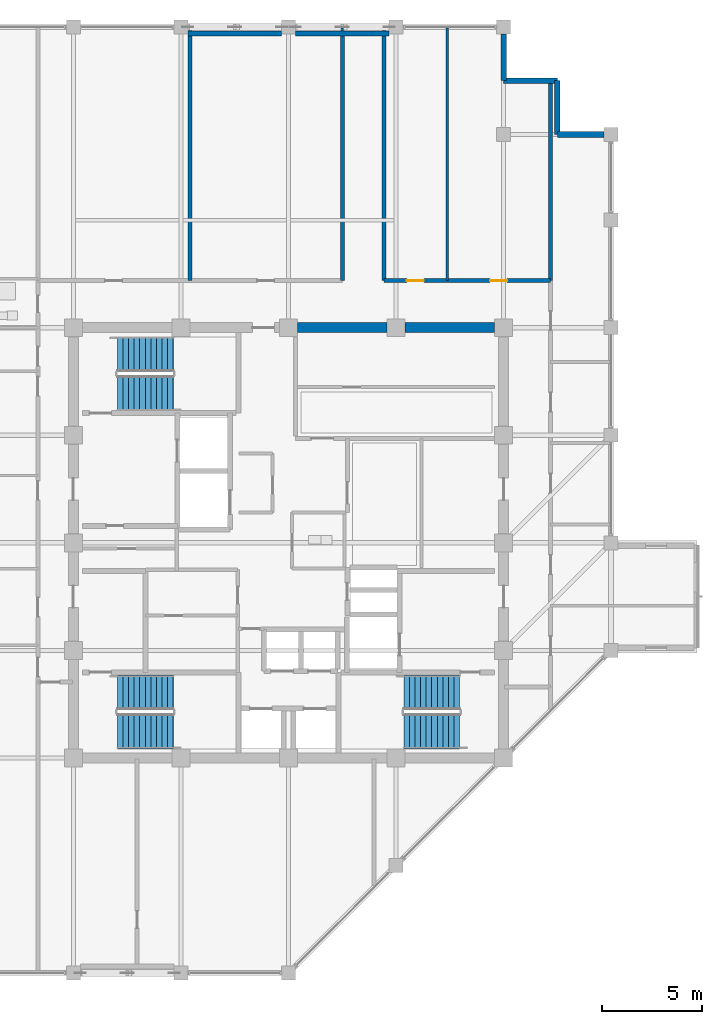
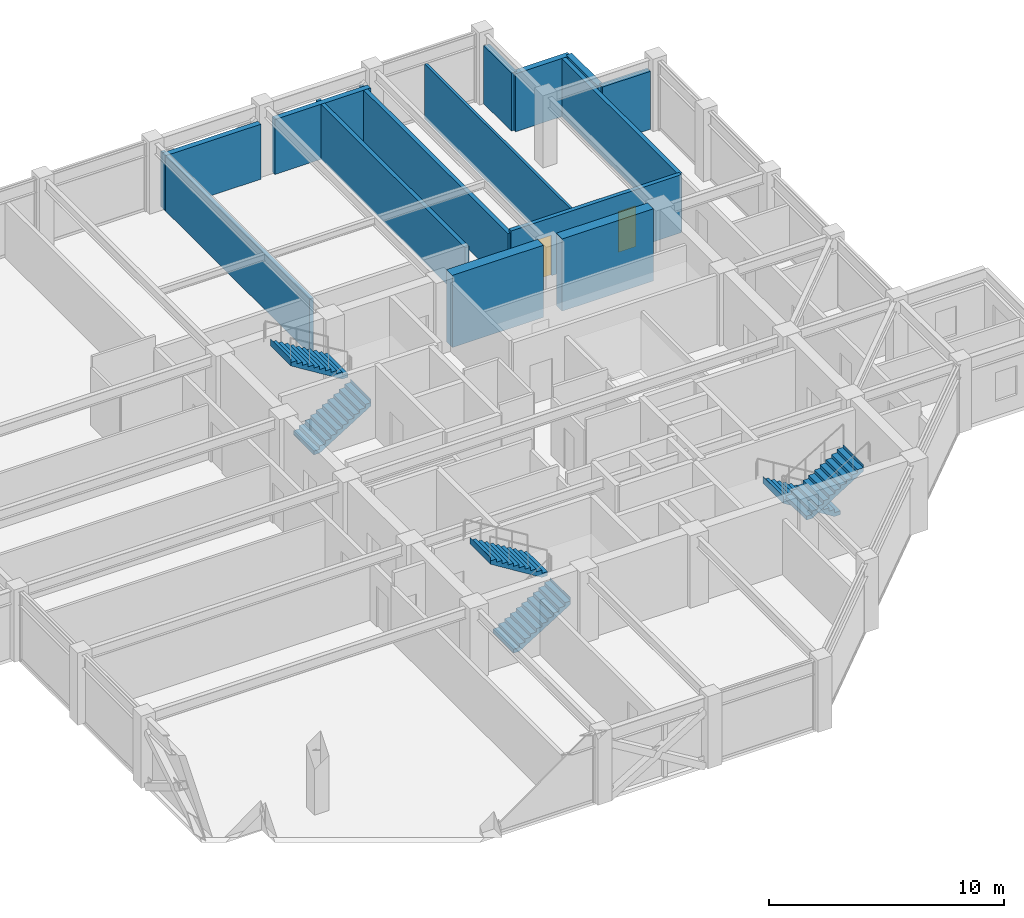
# One storey, part 28 of 31: 14 walls, 6 stair flights, 2 doors, 2 openings, 3 elements without a shape of their own.
"""IFC4 building model written with IfcOpenShell, lengths in metres."""

from ifc_helpers import new_model, si_unit, direction, frame, frame_2d, origin, place, context, subcontext, project, spatial, polyline, rectangle, outline, extrude, material, layer, layer_set, type_object, element, fill, aggregate, save


model = new_model("IFC4")

# Units and contexts
model_context = context("Model", 3, precision=1e-05, world=origin(), true_north=direction((0.0, 1.0)))
body_context = subcontext(model_context, "Body", "Model", "MODEL_VIEW")
ifc_project = project(units=[si_unit("LENGTHUNIT", "METRE"), si_unit("AREAUNIT", "SQUARE_METRE"), si_unit("VOLUMEUNIT", "CUBIC_METRE"), si_unit("PLANEANGLEUNIT", "RADIAN"), si_unit("MASSUNIT", "GRAM", prefix="KILO")], contexts=[model_context])

# Site, building, storey
site_placement = place(None, origin())
site = spatial("IfcSite", under=ifc_project, at=site_placement, CompositionType="ELEMENT")
building_placement = place(site_placement, origin())
building = spatial("IfcBuilding", under=site, at=building_placement, Name="Surkhivell Harbour Commons", CompositionType="ELEMENT")
storey_placement = place(building_placement, frame((0.0, 0.0, 322.5)))
storey = spatial("IfcBuildingStorey", under=building, at=storey_placement, Name="L84", CompositionType="ELEMENT", Elevation=322.5)

# Walls
ifc_material_1 = material(Name="Concrete C50/60", Category="concrete")
ifc_layer_1 = layer(ifc_material_1, 0.5)
ifc_layer_set_1 = layer_set([ifc_layer_1], Name="Concrete C50/60")
wall_type_1 = type_object("IfcWallType", Name="WAL-CORE-500", PredefinedType="SHEAR", material=ifc_layer_set_1)
for number, where, z_axis, x_axis, name in (
    (1, (0.4599609375, 10.800048828125, 0.0), (0.0, 0.0, 1.0), (1.0, 0.0, 0.0), "L84 Core Shear Wall North 3"),
    (2, (5.860107421875, 10.800048828125, 0.0), (0.0, 0.0, 1.0), (1.0, 0.0, 0.0), "L84 Core Shear Wall North 4"),
):
    element("IfcWall", number, at=place(storey_placement, frame(where, z_axis=z_axis, x_axis=x_axis)), inside=storey, type_object=wall_type_1, Name=name, PredefinedType="SHEAR", context=body_context, shape_type="SweptSolid", body=[
        extrude(rectangle(XDim=4.47998046875, YDim=0.5, at=frame_2d((2.239990234375, 0.0))), origin(), (0.0, 0.0, 1.0), 3.75),
    ])
ifc_material_2 = material(Name="Pale-metal insulated precast concrete C45/55", Category="concrete")
ifc_layer_2 = layer(ifc_material_2, 0.260009765625)
ifc_layer_set_2 = layer_set([ifc_layer_2], Name="Pale-metal insulated precast concrete C45/55")
wall_type_2 = type_object("IfcWallType", Name="WAL-EXT-MTL260", PredefinedType="STANDARD", material=ifc_layer_set_2)
for number, where, z_axis, x_axis, name in (
    (3, (-0.347900390625, 25.56494140625, 0.0), (0.0, 0.0, 1.0), (-1.0, 0.0, 0.0), "L84 Braced-Bay Insulated Spandrel Backing N"),
    (4, (5.052001953125, 25.56494140625, 0.0), (0.0, 0.0, 1.0), (-1.0, 0.0, 0.0), "L84 Braced-Bay Insulated Spandrel Backing N2"),
):
    element("IfcWall", number, at=place(storey_placement, frame(where, z_axis=z_axis, x_axis=x_axis)), inside=storey, type_object=wall_type_2, Name=name, PredefinedType="STANDARD", context=body_context, shape_type="SweptSolid", body=[
        extrude(rectangle(XDim=4.7041015625, YDim=0.260009765625, at=frame_2d((2.35205078125, 0.0))), origin(), (0.0, 0.0, 1.0), 2.85693359375),
    ])
ifc_material_3 = material(Name="Terracotta-clad reinforced concrete C45/55", Category="masonry")
ifc_layer_3 = layer(ifc_material_3, 0.280029296875)
ifc_layer_set_3 = layer_set([ifc_layer_3], Name="Terracotta-clad reinforced concrete C45/55")
wall_type_3 = type_object("IfcWallType", Name="WAL-EXT-TER280", PredefinedType="STANDARD", material=ifc_layer_set_3)
wall_1_placement = place(storey_placement, frame((15.85205078125, 20.5, 0.0), z_axis=(0.0, 0.0, 1.0), x_axis=(-1.0, 0.0, 0.0)))
element("IfcWall", 5, at=wall_1_placement, inside=storey, type_object=wall_type_3, Name="L84 Serrated Corner Facade Wall 03", PredefinedType="STANDARD", context=body_context, shape_type="SweptSolid", body=[
    extrude(rectangle(XDim=2.35205078125, YDim=0.280029296875, at=frame_2d((1.176025390625, 0.0))), origin(), (0.0, 0.0, 1.0), 3.012939453125),
])
for number, where, z_axis, x_axis, name in (
    (6, (13.5, 20.5, 0.0), (0.0, 0.0, 1.0), (0.0, 1.0, 0.0), "L84 Serrated Corner Facade Wall 04"),
    (7, (13.5, 23.199951171875, 0.0), (0.0, 0.0, 1.0), (-1.0, 0.0, 0.0), "L84 Serrated Corner Facade Wall 05"),
):
    element("IfcWall", number, at=place(storey_placement, frame(where, z_axis=z_axis, x_axis=x_axis)), inside=storey, type_object=wall_type_3, Name=name, PredefinedType="STANDARD", context=body_context, shape_type="SweptSolid", body=[
        extrude(rectangle(XDim=2.699951171875, YDim=0.280029296875, at=frame_2d((1.35009765625, 0.0))), origin(), (0.0, 0.0, 1.0), 3.012939453125),
    ])
wall_2_placement = place(storey_placement, frame((10.800048828125, 23.199951171875, 0.0), z_axis=(0.0, 0.0, 1.0), x_axis=(0.0, 1.0, 0.0)))
element("IfcWall", 8, at=wall_2_placement, inside=storey, type_object=wall_type_3, Name="L84 Serrated Corner Facade Wall 06", PredefinedType="STANDARD", context=body_context, shape_type="SweptSolid", body=[
    extrude(rectangle(XDim=2.35205078125, YDim=0.280029296875, at=frame_2d((1.176025390625, 0.0))), origin(), (0.0, 0.0, 1.0), 3.012939453125),
])
ifc_material_4 = material(Name="Moisture-resistant acoustic stud partition", Category="other")
ifc_layer_4 = layer(ifc_material_4, 0.125)
ifc_layer_set_4 = layer_set([ifc_layer_4], Name="Moisture-resistant acoustic stud partition")
wall_type_4 = type_object("IfcWallType", Name="WAL-INT-125", PredefinedType="PARTITIONING", material=ifc_layer_set_4)
wall_3_placement = place(storey_placement, frame((7.97998046875, 13.159912109375, 0.0), z_axis=(0.0, 0.0, 1.0), x_axis=(0.0, 1.0, 0.0)))
element("IfcWall", 9, at=wall_3_placement, inside=storey, type_object=wall_type_4, Name="L84 North-East Partition P1", PredefinedType="PARTITIONING", context=body_context, shape_type="SweptSolid", body=[
    extrude(rectangle(XDim=12.68017578125, YDim=0.125, at=frame_2d((6.340087890625, 0.0))), origin(), (0.0, 0.0, 1.0), 2.85693359375),
])
ifc_material_5 = material(Name="Autoclaved aerated concrete blockwork and fire plaster", Category="masonry")
ifc_layer_5 = layer(ifc_material_5, 0.199951171875)
ifc_layer_set_5 = layer_set([ifc_layer_5], Name="Autoclaved aerated concrete blockwork and fire plaster")
wall_type_5 = type_object("IfcWallType", Name="WAL-INT-200", PredefinedType="PARTITIONING", material=ifc_layer_set_5)
wall_4_placement = place(storey_placement, frame((13.159912109375, 13.159912109375, 0.0), z_axis=(0.0, 0.0, 1.0), x_axis=(0.0, 1.0, 0.0)))
element("IfcWall", 10, at=wall_4_placement, inside=storey, type_object=wall_type_5, Name="L84 North-East Corner Wall", PredefinedType="PARTITIONING", context=body_context, shape_type="SweptSolid", body=[
    extrude(rectangle(XDim=9.97998046875, YDim=0.199951171875, at=frame_2d((4.989990234375, 0.0))), origin(), (0.0, 0.0, 1.0), 3.012939453125),
])

# Wall, openings, doors
wall_5_placement = place(storey_placement, frame((4.800048828125, 13.159912109375, 0.0), z_axis=(0.0, 0.0, 1.0), x_axis=(1.0, 0.0, 0.0)))
wall_5 = element("IfcWall", 11, at=wall_5_placement, inside=storey, type_object=wall_type_5, Name="L84 North-East Corridor Wall", PredefinedType="PARTITIONING", context=body_context, shape_type="SweptSolid", body=[
    extrude(rectangle(XDim=8.35986328125, YDim=0.199951171875, at=frame_2d((4.179931640625, 0.0))), origin(), (0.0, 0.0, 1.0), 3.012939453125),
])
opening_1_placement = place(wall_5_placement, frame((1.139892578125, 0.0, 0.0)))
opening_1 = element("IfcOpeningElement", 12, at=opening_1_placement, cuts=wall_5, Name="Opening ID-6", PredefinedType="OPENING", context=body_context, shape_type="SweptSolid", body=[
    extrude(rectangle(XDim=0.85009765625, YDim=2.10009765625, at=frame_2d((0.425048828125, 1.050048828125))), frame((0.0, 0.10986328125, 0.0), z_axis=(0.0, -1.0, 0.0), x_axis=(1.0, 0.0, 0.0)), (0.0, 0.0, 1.0), 0.219970703125),
])
opening_2_placement = place(wall_5_placement, frame((5.320068359375, 0.0, 0.0)))
opening_2 = element("IfcOpeningElement", 13, at=opening_2_placement, cuts=wall_5, Name="Opening ID-6", PredefinedType="OPENING", context=body_context, shape_type="SweptSolid", body=[
    extrude(rectangle(XDim=0.85009765625, YDim=2.10009765625, at=frame_2d((0.425048828125, 1.050048828125))), frame((0.0, 0.10986328125, 0.0), z_axis=(0.0, -1.0, 0.0), x_axis=(1.0, 0.0, 0.0)), (0.0, 0.0, 1.0), 0.219970703125),
])
ifc_material_6 = material(Name="Hardwood-veneered fire-rated door leaf", Category="wood")
door_type = type_object("IfcDoorType", Name="DOR-FD30-850", OperationType="NOTDEFINED", PredefinedType="DOOR", material=ifc_material_6)
door_1_placement = place(opening_1_placement, origin())
door_1 = element("IfcDoor", 14, at=door_1_placement, inside=storey, type_object=door_type, Name="L84 Harbour Reading Library North-East Door", OperationType="SINGLE_SWING_RIGHT", OverallHeight=2.10009765625, OverallWidth=0.85009765625, PredefinedType="DOOR", context=body_context, shape_type="SweptSolid", body=[
    extrude(rectangle(XDim=0.85009765625, YDim=2.10009765625, at=frame_2d((0.425048828125, 1.050048828125))), frame((0.0, 0.02490234375, 0.0), z_axis=(0.0, -1.0, 0.0), x_axis=(1.0, 0.0, 0.0)), (0.0, 0.0, 1.0), 0.050048828125),
])
fill(opening_1, door_1)
door_2_placement = place(opening_2_placement, origin())
door_2 = element("IfcDoor", 15, at=door_2_placement, inside=storey, type_object=door_type, Name="L84 Communal Dining Hall North-East Door", OperationType="SINGLE_SWING_LEFT", OverallHeight=2.10009765625, OverallWidth=0.85009765625, PredefinedType="DOOR", context=body_context, shape_type="SweptSolid", body=[
    extrude(rectangle(XDim=0.85009765625, YDim=2.10009765625, at=frame_2d((0.425048828125, 1.050048828125))), frame((0.0, 0.02490234375, 0.0), z_axis=(0.0, -1.0, 0.0), x_axis=(1.0, 0.0, 0.0)), (0.0, 0.0, 1.0), 0.050048828125),
])
fill(opening_2, door_2)

# Walls
for number, where, z_axis, x_axis, name in (
    (16, (4.800048828125, 13.159912109375, 0.0), (0.0, 0.0, 1.0), (0.0, 1.0, 0.0), "L84 North Spur East Wall"),
    (17, (2.699951171875, 13.159912109375, 0.0), (0.0, 0.0, 1.0), (0.0, 1.0, 0.0), "L84 North Spur West Wall"),
    (18, (-4.93994140625, 13.159912109375, 0.0), (0.0, 0.0, 1.0), (0.0, 1.0, 0.0), "L84 North-West Partition P1"),
):
    element("IfcWall", number, at=place(storey_placement, frame(where, z_axis=z_axis, x_axis=x_axis)), inside=storey, type_object=wall_type_5, Name=name, PredefinedType="PARTITIONING", context=body_context, shape_type="SweptSolid", body=[
        extrude(rectangle(XDim=12.68017578125, YDim=0.199951171875, at=frame_2d((6.340087890625, 0.0))), origin(), (0.0, 0.0, 1.0), 2.85693359375),
    ])

# Stair, stair flights
ifc_material_7 = material(Name="Precast concrete C45/55", Category="concrete")
stair_type = type_object("IfcStairType", Name="STR-DL-375", PredefinedType="HALF_TURN_STAIR", material=ifc_material_7)
stair_1_placement = place(storey_placement, origin())
stair_1 = element("IfcStair", 19, at=stair_1_placement, inside=storey, type_object=stair_type, Name="L84 Core Exit Stair ST1", PredefinedType="HALF_TURN_STAIR")
stair_flight_type = type_object("IfcStairFlightType", Name="STF-DL-375", PredefinedType="STRAIGHT", material=ifc_material_7)
stair_flight_1_placement = place(storey_placement, frame((-8.590087890625, 7.514892578125, 0.0), z_axis=(0.0, 0.0, 1.0), x_axis=(1.0, 0.0, 0.0)))
stair_flight_1 = element("IfcStairFlight", 20, at=stair_flight_1_placement, type_object=stair_flight_type, Name="ST1 flight 1", NumberOfRisers=11, NumberOfTreads=10, PredefinedType="STRAIGHT", RiserHeight=0.170454545, TreadLength=0.28, context=body_context, shape_type="SweptSolid", body=[
    extrude(outline(polyline([(-0.0029296875, -0.034912109375), (-0.0029296875, 0.0), (0.0, 0.0), (0.0, 0.17041015625), (0.280029296875, 0.17041015625), (0.280029296875, 0.3408203125), (0.56005859375, 0.3408203125), (0.56005859375, 0.511474609375), (0.840087890625, 0.511474609375), (0.840087890625, 0.681884765625), (1.1201171875, 0.681884765625), (1.1201171875, 0.852294921875), (1.39990234375, 0.852294921875), (1.39990234375, 1.022705078125), (1.679931640625, 1.022705078125), (1.679931640625, 1.193115234375), (1.9599609375, 1.193115234375), (1.9599609375, 1.363525390625), (2.239990234375, 1.363525390625), (2.239990234375, 1.5341796875), (2.52001953125, 1.5341796875), (2.52001953125, 1.70458984375), (2.800048828125, 1.70458984375), (2.800048828125, 1.875), (2.802978515625, 1.875), (2.802978515625, 1.529052734375), (0.288330078125, -0.034912109375), (-0.0029296875, -0.034912109375)])), frame((0.0, 0.875, 0.0), z_axis=(0.0, -1.0, 0.0), x_axis=(1.0, 0.0, 0.0)), (0.0, 0.0, 1.0), 1.75),
])
stair_flight_2_placement = place(storey_placement, frame((-5.7900390625, 9.465087890625, 1.875), z_axis=(0.0, 0.0, 1.0), x_axis=(-1.0, 0.0, 0.0)))
stair_flight_2 = element("IfcStairFlight", 21, at=stair_flight_2_placement, type_object=stair_flight_type, Name="ST1 flight 2", NumberOfRisers=11, NumberOfTreads=10, PredefinedType="STRAIGHT", RiserHeight=0.170454545, TreadLength=0.28, context=body_context, shape_type="SweptSolid", body=[
    extrude(outline(polyline([(-0.0029296875, -0.034912109375), (-0.0029296875, 0.0), (0.0, 0.0), (0.0, 0.17041015625), (0.280029296875, 0.17041015625), (0.280029296875, 0.3408203125), (0.56005859375, 0.3408203125), (0.56005859375, 0.511474609375), (0.840087890625, 0.511474609375), (0.840087890625, 0.681884765625), (1.1201171875, 0.681884765625), (1.1201171875, 0.852294921875), (1.39990234375, 0.852294921875), (1.39990234375, 1.022705078125), (1.679931640625, 1.022705078125), (1.679931640625, 1.193115234375), (1.9599609375, 1.193115234375), (1.9599609375, 1.363525390625), (2.239990234375, 1.363525390625), (2.239990234375, 1.5341796875), (2.52001953125, 1.5341796875), (2.52001953125, 1.70458984375), (2.800048828125, 1.70458984375), (2.800048828125, 1.875), (2.802978515625, 1.875), (2.802978515625, 1.529052734375), (0.288330078125, -0.034912109375), (-0.0029296875, -0.034912109375)])), frame((0.0, 0.875, 0.0), z_axis=(0.0, -1.0, 0.0), x_axis=(1.0, 0.0, 0.0)), (0.0, 0.0, 1.0), 1.75),
])
aggregate(stair_1, [stair_flight_1, stair_flight_2])

stair_2_placement = place(storey_placement, origin())
stair_2 = element("IfcStair", 22, at=stair_2_placement, inside=storey, type_object=stair_type, Name="L84 Core Exit Stair ST2", PredefinedType="HALF_TURN_STAIR")
stair_flight_3_placement = place(storey_placement, frame((8.590087890625, -7.514892578125, 0.0), z_axis=(0.0, 0.0, 1.0), x_axis=(-1.0, 0.0, 0.0)))
stair_flight_3 = element("IfcStairFlight", 23, at=stair_flight_3_placement, type_object=stair_flight_type, Name="ST2 flight 1", NumberOfRisers=11, NumberOfTreads=10, PredefinedType="STRAIGHT", RiserHeight=0.170454545, TreadLength=0.28, context=body_context, shape_type="SweptSolid", body=[
    extrude(outline(polyline([(-0.0029296875, -0.034912109375), (-0.0029296875, 0.0), (0.0, 0.0), (0.0, 0.17041015625), (0.280029296875, 0.17041015625), (0.280029296875, 0.3408203125), (0.56005859375, 0.3408203125), (0.56005859375, 0.511474609375), (0.840087890625, 0.511474609375), (0.840087890625, 0.681884765625), (1.1201171875, 0.681884765625), (1.1201171875, 0.852294921875), (1.39990234375, 0.852294921875), (1.39990234375, 1.022705078125), (1.679931640625, 1.022705078125), (1.679931640625, 1.193115234375), (1.9599609375, 1.193115234375), (1.9599609375, 1.363525390625), (2.239990234375, 1.363525390625), (2.239990234375, 1.5341796875), (2.52001953125, 1.5341796875), (2.52001953125, 1.70458984375), (2.800048828125, 1.70458984375), (2.800048828125, 1.875), (2.802978515625, 1.875), (2.802978515625, 1.529052734375), (0.288330078125, -0.034912109375), (-0.0029296875, -0.034912109375)])), frame((0.0, 0.875, 0.0), z_axis=(0.0, -1.0, 0.0), x_axis=(1.0, 0.0, 0.0)), (0.0, 0.0, 1.0), 1.75),
])
stair_flight_4_placement = place(storey_placement, frame((5.7900390625, -9.465087890625, 1.875), z_axis=(0.0, 0.0, 1.0), x_axis=(1.0, 0.0, 0.0)))
stair_flight_4 = element("IfcStairFlight", 24, at=stair_flight_4_placement, type_object=stair_flight_type, Name="ST2 flight 2", NumberOfRisers=11, NumberOfTreads=10, PredefinedType="STRAIGHT", RiserHeight=0.170454545, TreadLength=0.28, context=body_context, shape_type="SweptSolid", body=[
    extrude(outline(polyline([(-0.0029296875, -0.034912109375), (-0.0029296875, 0.0), (0.0, 0.0), (0.0, 0.17041015625), (0.280029296875, 0.17041015625), (0.280029296875, 0.3408203125), (0.56005859375, 0.3408203125), (0.56005859375, 0.511474609375), (0.840087890625, 0.511474609375), (0.840087890625, 0.681884765625), (1.1201171875, 0.681884765625), (1.1201171875, 0.852294921875), (1.39990234375, 0.852294921875), (1.39990234375, 1.022705078125), (1.679931640625, 1.022705078125), (1.679931640625, 1.193115234375), (1.9599609375, 1.193115234375), (1.9599609375, 1.363525390625), (2.239990234375, 1.363525390625), (2.239990234375, 1.5341796875), (2.52001953125, 1.5341796875), (2.52001953125, 1.70458984375), (2.800048828125, 1.70458984375), (2.800048828125, 1.875), (2.802978515625, 1.875), (2.802978515625, 1.529052734375), (0.288330078125, -0.034912109375), (-0.0029296875, -0.034912109375)])), frame((0.0, 0.875, 0.0), z_axis=(0.0, -1.0, 0.0), x_axis=(1.0, 0.0, 0.0)), (0.0, 0.0, 1.0), 1.75),
])
aggregate(stair_2, [stair_flight_3, stair_flight_4])

stair_3_placement = place(storey_placement, origin())
stair_3 = element("IfcStair", 25, at=stair_3_placement, inside=storey, type_object=stair_type, Name="L84 Core Exit Stair ST3", PredefinedType="HALF_TURN_STAIR")
stair_flight_5_placement = place(storey_placement, frame((-8.590087890625, -9.465087890625, 0.0), z_axis=(0.0, 0.0, 1.0), x_axis=(1.0, 0.0, 0.0)))
stair_flight_5 = element("IfcStairFlight", 26, at=stair_flight_5_placement, type_object=stair_flight_type, Name="ST3 flight 1", NumberOfRisers=11, NumberOfTreads=10, PredefinedType="STRAIGHT", RiserHeight=0.170454545, TreadLength=0.28, context=body_context, shape_type="SweptSolid", body=[
    extrude(outline(polyline([(-0.0029296875, -0.034912109375), (-0.0029296875, 0.0), (0.0, 0.0), (0.0, 0.17041015625), (0.280029296875, 0.17041015625), (0.280029296875, 0.3408203125), (0.56005859375, 0.3408203125), (0.56005859375, 0.511474609375), (0.840087890625, 0.511474609375), (0.840087890625, 0.681884765625), (1.1201171875, 0.681884765625), (1.1201171875, 0.852294921875), (1.39990234375, 0.852294921875), (1.39990234375, 1.022705078125), (1.679931640625, 1.022705078125), (1.679931640625, 1.193115234375), (1.9599609375, 1.193115234375), (1.9599609375, 1.363525390625), (2.239990234375, 1.363525390625), (2.239990234375, 1.5341796875), (2.52001953125, 1.5341796875), (2.52001953125, 1.70458984375), (2.800048828125, 1.70458984375), (2.800048828125, 1.875), (2.802978515625, 1.875), (2.802978515625, 1.529052734375), (0.288330078125, -0.034912109375), (-0.0029296875, -0.034912109375)])), frame((0.0, 0.875, 0.0), z_axis=(0.0, -1.0, 0.0), x_axis=(1.0, 0.0, 0.0)), (0.0, 0.0, 1.0), 1.75),
])
stair_flight_6_placement = place(storey_placement, frame((-5.7900390625, -7.514892578125, 1.875), z_axis=(0.0, 0.0, 1.0), x_axis=(-1.0, 0.0, 0.0)))
stair_flight_6 = element("IfcStairFlight", 27, at=stair_flight_6_placement, type_object=stair_flight_type, Name="ST3 flight 2", NumberOfRisers=11, NumberOfTreads=10, PredefinedType="STRAIGHT", RiserHeight=0.170454545, TreadLength=0.28, context=body_context, shape_type="SweptSolid", body=[
    extrude(outline(polyline([(-0.0029296875, -0.034912109375), (-0.0029296875, 0.0), (0.0, 0.0), (0.0, 0.17041015625), (0.280029296875, 0.17041015625), (0.280029296875, 0.3408203125), (0.56005859375, 0.3408203125), (0.56005859375, 0.511474609375), (0.840087890625, 0.511474609375), (0.840087890625, 0.681884765625), (1.1201171875, 0.681884765625), (1.1201171875, 0.852294921875), (1.39990234375, 0.852294921875), (1.39990234375, 1.022705078125), (1.679931640625, 1.022705078125), (1.679931640625, 1.193115234375), (1.9599609375, 1.193115234375), (1.9599609375, 1.363525390625), (2.239990234375, 1.363525390625), (2.239990234375, 1.5341796875), (2.52001953125, 1.5341796875), (2.52001953125, 1.70458984375), (2.800048828125, 1.70458984375), (2.800048828125, 1.875), (2.802978515625, 1.875), (2.802978515625, 1.529052734375), (0.288330078125, -0.034912109375), (-0.0029296875, -0.034912109375)])), frame((0.0, 0.875, 0.0), z_axis=(0.0, -1.0, 0.0), x_axis=(1.0, 0.0, 0.0)), (0.0, 0.0, 1.0), 1.75),
])
aggregate(stair_3, [stair_flight_5, stair_flight_6])

save(model, "model.ifc")
